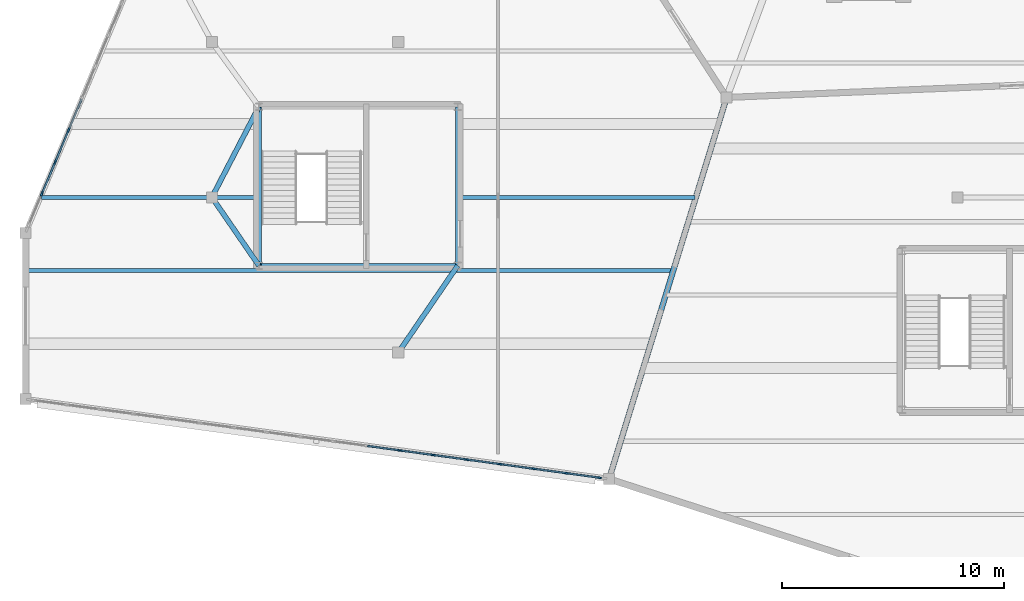
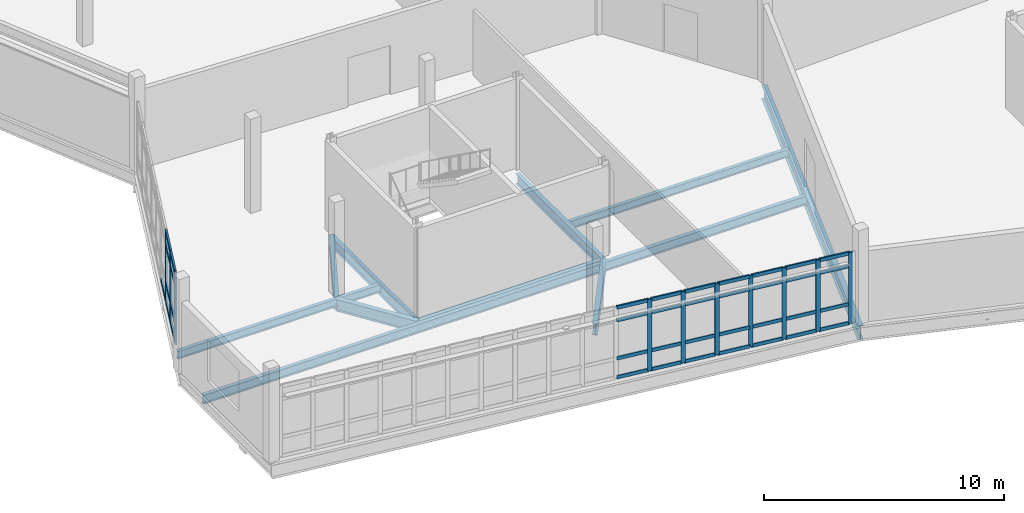
# One storey, part 52 of 134: 47 members, 10 beams, 2 elements without a shape of their own.
"""IFC4 building model written with IfcOpenShell, lengths in metres."""

from ifc_helpers import new_model, si_unit, direction, frame, origin, origin_2d, place, context, subcontext, project, spatial, rectangle, i_section, extrude, material, material_profile, profile_set, type_object, element, aggregate, save


model = new_model("IFC4")

# Units and contexts
model_context = context("Model", 3, precision=1e-05, world=origin(), true_north=direction((0.0, 1.0)))
body_context = subcontext(model_context, "Body", "Model", "MODEL_VIEW")
ifc_project = project(units=[si_unit("LENGTHUNIT", "METRE"), si_unit("AREAUNIT", "SQUARE_METRE"), si_unit("VOLUMEUNIT", "CUBIC_METRE"), si_unit("PLANEANGLEUNIT", "RADIAN"), si_unit("MASSUNIT", "GRAM", prefix="KILO")], contexts=[model_context])

# Site, building, storey
site_placement = place(None, origin())
site = spatial("IfcSite", under=ifc_project, at=site_placement, CompositionType="ELEMENT")
building_placement = place(site_placement, origin())
building = spatial("IfcBuilding", under=site, at=building_placement, Name="Tameran Prism Museum", CompositionType="ELEMENT")
storey_placement = place(building_placement, frame((0.0, 0.0, 5.39990234375)))
storey = spatial("IfcBuildingStorey", under=building, at=storey_placement, Name="L01", CompositionType="ELEMENT", Elevation=5.39990234375)

# Beams
ifc_material_1 = material(Name="Steel Grade 300PLUS (300 MPa)", Category="steel")
ifc_material_profile_1 = material_profile(ifc_material_1, i_section(OverallWidth=0.177978515625, OverallDepth=0.406005859375, WebThickness=0.0078125, FlangeThickness=0.0126953125, FilletRadius=0.011474609375, at=origin_2d()))
ifc_profile_set_1 = profile_set([ifc_material_profile_1])
beam_type_1 = type_object("IfcBeamType", Name="BM-J410A", PredefinedType="JOIST", material=ifc_profile_set_1)
beam_1_placement = place(storey_placement, frame((0.714111328125, 77.0, -0.462890625), z_axis=(1.0, 0.0, 0.0), x_axis=(0.0, 1.0, 0.0)))
element("IfcBeam", 1, at=beam_1_placement, inside=storey, type_object=beam_type_1, Name="Floor Beam BM-0635", PredefinedType="JOIST", context=body_context, shape_type="SweptSolid", body=[
    extrude(i_section(OverallWidth=0.177978515625, OverallDepth=0.406005859375, WebThickness=0.0078125, FlangeThickness=0.0126953125, FilletRadius=0.011474609375, at=origin_2d()), origin(), (0.0, 0.0, 1.0), 9.805908203125),
])
beam_2_placement = place(storey_placement, frame((19.47998046875, 77.0, -0.462890625), z_axis=(1.0, 0.0, 0.0), x_axis=(0.0, 1.0, 0.0)))
element("IfcBeam", 2, at=beam_2_placement, inside=storey, type_object=beam_type_1, Name="Floor Beam BM-0636", PredefinedType="JOIST", context=body_context, shape_type="SweptSolid", body=[
    extrude(i_section(OverallWidth=0.177978515625, OverallDepth=0.406005859375, WebThickness=0.0078125, FlangeThickness=0.0126953125, FilletRadius=0.011474609375, at=origin_2d()), origin(), (0.0, 0.0, 1.0), 10.692138671875),
])
ifc_material_2 = material(Name="Steel Grade 300PLUS (300 MPa)", Category="steel")
ifc_material_profile_2 = material_profile(ifc_material_2, i_section(OverallWidth=0.19091796875, OverallDepth=0.4599609375, WebThickness=0.010009765625, FlangeThickness=0.01611328125, FilletRadius=0.011474609375, at=origin_2d()))
ifc_profile_set_2 = profile_set([ifc_material_profile_2])
beam_type_2 = type_object("IfcBeamType", Name="BM-J460A", PredefinedType="JOIST", material=ifc_profile_set_2)
beam_3_placement = place(storey_placement, frame((0.0400390625, 73.699951171875, -0.489990234375), z_axis=(1.0, 0.0, 0.0), x_axis=(0.0, 1.0, 0.0)))
element("IfcBeam", 3, at=beam_3_placement, inside=storey, type_object=beam_type_2, Name="Floor Beam BM-0634", PredefinedType="JOIST", context=body_context, shape_type="SweptSolid", body=[
    extrude(i_section(OverallWidth=0.19091796875, OverallDepth=0.4599609375, WebThickness=0.010009765625, FlangeThickness=0.01611328125, FilletRadius=0.011474609375, at=origin_2d()), origin(), (0.0, 0.0, 1.0), 29.114990234375),
])
ifc_material_3 = material(Name="Steel Grade 300PLUS (300 MPa)", Category="steel")
ifc_material_profile_3 = material_profile(ifc_material_3, i_section(OverallWidth=0.208984375, OverallDepth=0.528076171875, WebThickness=0.009521484375, FlangeThickness=0.01318359375, FilletRadius=0.013916015625, at=origin_2d()))
ifc_profile_set_3 = profile_set([ifc_material_profile_3])
beam_type_3 = type_object("IfcBeamType", Name="BM-SP530B", PredefinedType="SPANDREL", material=ifc_profile_set_3)
beam_4_placement = place(storey_placement, frame((10.52001953125, 73.919921875, -0.52392578125), z_axis=(1.0, 0.0, 0.0), x_axis=(0.0, 1.0, 0.0)))
element("IfcBeam", 4, at=beam_4_placement, inside=storey, type_object=beam_type_3, Name="Core Ring Beam CTB-0470", PredefinedType="SPANDREL", context=body_context, shape_type="SweptSolid", body=[
    extrude(i_section(OverallWidth=0.208984375, OverallDepth=0.528076171875, WebThickness=0.009521484375, FlangeThickness=0.01318359375, FilletRadius=0.013916015625, at=origin_2d()), origin(), (0.0, 0.0, 1.0), 8.9599609375),
])
for number, where, z_axis, x_axis, name in (
    (5, (19.47998046875, 73.919921875, -0.52392578125), (0.0, 1.0, 0.0), (-1.0, 0.0, 0.0), "Core Ring Beam CTB-0471"),
    (6, (10.52001953125, 81.080078125, -0.52392578125), (0.0, -1.0, 0.0), (1.0, 0.0, 0.0), "Core Ring Beam CTB-0473"),
):
    element("IfcBeam", number, at=place(storey_placement, frame(where, z_axis=z_axis, x_axis=x_axis)), inside=storey, type_object=beam_type_3, Name=name, PredefinedType="SPANDREL", context=body_context, shape_type="SweptSolid", body=[
        extrude(i_section(OverallWidth=0.208984375, OverallDepth=0.528076171875, WebThickness=0.009521484375, FlangeThickness=0.01318359375, FilletRadius=0.013916015625, at=origin_2d()), origin(), (0.0, 0.0, 1.0), 7.16015625),
    ])
ifc_material_4 = material(Name="Steel Grade 350 (350 MPa)", Category="steel")
ifc_material_profile_4 = material_profile(ifc_material_4, i_section(OverallWidth=0.25, OverallDepth=0.699951171875, WebThickness=0.010009765625, FlangeThickness=0.02001953125, at=origin_2d()))
ifc_profile_set_4 = profile_set([ifc_material_profile_4])
beam_type_4 = type_object("IfcBeamType", Name="BM-SP700", PredefinedType="SPANDREL", material=ifc_profile_set_4)
beam_5_placement = place(storey_placement, frame((31.60009765625, 81.5, -0.60986328125), z_axis=(-0.294479498062, -0.955657797133, 0.0), x_axis=(0.955657797133, -0.294479498062, 0.0)))
element("IfcBeam", 7, at=beam_5_placement, inside=storey, type_object=beam_type_4, Name="Perimeter Spandrel SP-0412", PredefinedType="SPANDREL", context=body_context, shape_type="SweptSolid", body=[
    extrude(i_section(OverallWidth=0.25, OverallDepth=0.699951171875, WebThickness=0.010009765625, FlangeThickness=0.02001953125, at=origin_2d()), origin(), (0.0, 0.0, 1.0), 17.998046875),
])
ifc_material_5 = material(Name="Steel Grade 300PLUS (300 MPa)", Category="steel")
ifc_material_profile_5 = material_profile(ifc_material_5, i_section(OverallWidth=0.22900390625, OverallDepth=0.612060546875, WebThickness=0.011962890625, FlangeThickness=0.01953125, FilletRadius=0.013916015625, at=origin_2d()))
ifc_profile_set_5 = profile_set([ifc_material_profile_5])
beam_type_5 = type_object("IfcBeamType", Name="BM-UB610A", PredefinedType="BEAM", material=ifc_profile_set_5)
beam_6_placement = place(storey_placement, frame((8.39990234375, 77.0, -0.56591796875), z_axis=(0.566994261507, -0.823721741499, 0.0), x_axis=(0.823721741499, 0.566994261507, 0.0)))
element("IfcBeam", 8, at=beam_6_placement, inside=storey, type_object=beam_type_5, Name="Frame Tie Girder FG-1345", PredefinedType="BEAM", context=body_context, shape_type="SweptSolid", body=[
    extrude(i_section(OverallWidth=0.22900390625, OverallDepth=0.612060546875, WebThickness=0.011962890625, FlangeThickness=0.01953125, FilletRadius=0.013916015625, at=origin_2d()), origin(), (0.0, 0.0, 1.0), 3.7392578125),
])
beam_7_placement = place(storey_placement, frame((8.39990234375, 77.0, -0.56591796875), z_axis=(0.461091914182, 0.887352380217, 0.0), x_axis=(-0.887352380217, 0.461091914182, 0.0)))
element("IfcBeam", 9, at=beam_7_placement, inside=storey, type_object=beam_type_5, Name="Frame Tie Girder FG-1346", PredefinedType="BEAM", context=body_context, shape_type="SweptSolid", body=[
    extrude(i_section(OverallWidth=0.22900390625, OverallDepth=0.612060546875, WebThickness=0.011962890625, FlangeThickness=0.01953125, FilletRadius=0.013916015625, at=origin_2d()), origin(), (0.0, 0.0, 1.0), 4.59814453125),
])
beam_8_placement = place(storey_placement, frame((16.800048828125, 70.0, -0.56591796875), z_axis=(0.564379754133, 0.825515289456, 0.0), x_axis=(-0.825515289456, 0.564379754133, 0.0)))
element("IfcBeam", 10, at=beam_8_placement, inside=storey, type_object=beam_type_5, Name="Frame Tie Girder FG-1356", PredefinedType="BEAM", context=body_context, shape_type="SweptSolid", body=[
    extrude(i_section(OverallWidth=0.22900390625, OverallDepth=0.612060546875, WebThickness=0.011962890625, FlangeThickness=0.01953125, FilletRadius=0.013916015625, at=origin_2d()), origin(), (0.0, 0.0, 1.0), 4.74853515625),
])

# Curtain wall, members
ifc_material_6 = material(Name="Anodised Aluminium 6063-T6 and Cyclone Solar Glass", Category="aluminium")
curtain_wall_type_1 = type_object("IfcCurtainWallType", Name="CW-FAC-2579x362", PredefinedType="USERDEFINED", material=ifc_material_6)
curtain_wall_1_placement = place(storey_placement, origin())
curtain_wall_1 = element("IfcCurtainWall", 11, at=curtain_wall_1_placement, inside=storey, type_object=curtain_wall_type_1, Name="Unitised Curtain Wall CW-093", ObjectType="UNITISED CURTAIN WALL", PredefinedType="USERDEFINED")
ifc_material_7 = material(Name="Anodised Aluminium Alloy 6063-T6", Category="aluminium")
ifc_material_profile_6 = material_profile(ifc_material_7, rectangle(XDim=0.074951171875, YDim=0.199951171875, at=origin_2d()))
ifc_profile_set_6 = profile_set([ifc_material_profile_6])
member_type_1 = type_object("IfcMemberType", Name="CW-MUL-C", PredefinedType="MULLION", material=ifc_profile_set_6)
member_1_placement = place(storey_placement, frame((25.85693359375, 64.360107421875, 0.0), z_axis=(0.0, 0.0, 1.0), x_axis=(-0.135658330466, -0.990755679961, 0.0)))
member_1 = element("IfcMember", 12, at=member_1_placement, type_object=member_type_1, Name="CW-093 mullion 1", PredefinedType="MULLION", context=body_context, shape_type="SweptSolid", body=[
    extrude(rectangle(XDim=0.074951171875, YDim=0.199951171875, at=origin_2d()), origin(), (0.0, 0.0, 1.0), 3.6201171875),
])
member_2_placement = place(storey_placement, frame((24.39111328125, 64.560791015625, 0.0), z_axis=(0.0, 0.0, 1.0), x_axis=(-0.135658330466, -0.990755679961, 0.0)))
member_2 = element("IfcMember", 13, at=member_2_placement, type_object=member_type_1, Name="CW-093 mullion 2", PredefinedType="MULLION", context=body_context, shape_type="SweptSolid", body=[
    extrude(rectangle(XDim=0.074951171875, YDim=0.199951171875, at=origin_2d()), origin(), (0.0, 0.0, 1.0), 3.6201171875),
])
member_3_placement = place(storey_placement, frame((22.888427734375, 64.7666015625, 0.0), z_axis=(0.0, 0.0, 1.0), x_axis=(-0.135658330466, -0.990755679961, 0.0)))
member_3 = element("IfcMember", 14, at=member_3_placement, type_object=member_type_1, Name="CW-093 mullion 3", PredefinedType="MULLION", context=body_context, shape_type="SweptSolid", body=[
    extrude(rectangle(XDim=0.074951171875, YDim=0.199951171875, at=origin_2d()), origin(), (0.0, 0.0, 1.0), 3.6201171875),
])
member_4_placement = place(storey_placement, frame((21.3857421875, 64.972412109375, 0.0), z_axis=(0.0, 0.0, 1.0), x_axis=(-0.135658330466, -0.990755679961, 0.0)))
member_4 = element("IfcMember", 15, at=member_4_placement, type_object=member_type_1, Name="CW-093 mullion 4", PredefinedType="MULLION", context=body_context, shape_type="SweptSolid", body=[
    extrude(rectangle(XDim=0.074951171875, YDim=0.199951171875, at=origin_2d()), origin(), (0.0, 0.0, 1.0), 3.6201171875),
])
member_5_placement = place(storey_placement, frame((19.883056640625, 65.177978515625, 0.0), z_axis=(0.0, 0.0, 1.0), x_axis=(-0.135658330466, -0.990755679961, 0.0)))
member_5 = element("IfcMember", 16, at=member_5_placement, type_object=member_type_1, Name="CW-093 mullion 5", PredefinedType="MULLION", context=body_context, shape_type="SweptSolid", body=[
    extrude(rectangle(XDim=0.074951171875, YDim=0.199951171875, at=origin_2d()), origin(), (0.0, 0.0, 1.0), 3.6201171875),
])
member_6_placement = place(storey_placement, frame((18.380126953125, 65.3837890625, 0.0), z_axis=(0.0, 0.0, 1.0), x_axis=(-0.135658330466, -0.990755679961, 0.0)))
member_6 = element("IfcMember", 17, at=member_6_placement, type_object=member_type_1, Name="CW-093 mullion 6", PredefinedType="MULLION", context=body_context, shape_type="SweptSolid", body=[
    extrude(rectangle(XDim=0.074951171875, YDim=0.199951171875, at=origin_2d()), origin(), (0.0, 0.0, 1.0), 3.6201171875),
])
member_7_placement = place(storey_placement, frame((16.87744140625, 65.589599609375, 0.0), z_axis=(0.0, 0.0, 1.0), x_axis=(-0.135658330466, -0.990755679961, 0.0)))
member_7 = element("IfcMember", 18, at=member_7_placement, type_object=member_type_1, Name="CW-093 mullion 7", PredefinedType="MULLION", context=body_context, shape_type="SweptSolid", body=[
    extrude(rectangle(XDim=0.074951171875, YDim=0.199951171875, at=origin_2d()), origin(), (0.0, 0.0, 1.0), 3.6201171875),
])

ifc_material_8 = material(Name="Anodised Aluminium 6063-T6 and Cyclone Solar Glass", Category="aluminium")
curtain_wall_type_2 = type_object("IfcCurtainWallType", Name="CW-FAC-1399x362", PredefinedType="USERDEFINED", material=ifc_material_8)
curtain_wall_2_placement = place(storey_placement, origin())
curtain_wall_2 = element("IfcCurtainWall", 19, at=curtain_wall_2_placement, inside=storey, type_object=curtain_wall_type_2, Name="Unitised Curtain Wall CW-094", ObjectType="UNITISED CURTAIN WALL", PredefinedType="USERDEFINED")
ifc_material_9 = material(Name="Anodised Aluminium Alloy 6063-T6", Category="aluminium")
ifc_material_profile_7 = material_profile(ifc_material_9, rectangle(XDim=0.080078125, YDim=0.219970703125, at=origin_2d()))
ifc_profile_set_7 = profile_set([ifc_material_profile_7])
member_type_2 = type_object("IfcMemberType", Name="CW-MUL-D", PredefinedType="MULLION", material=ifc_profile_set_7)
member_8_placement = place(storey_placement, frame((0.73583984375, 77.15625, 0.0), z_axis=(0.0, 0.0, 1.0), x_axis=(-0.922251949595, 0.386589370609, 0.0)))
member_8 = element("IfcMember", 20, at=member_8_placement, type_object=member_type_2, Name="CW-094 mullion 2", PredefinedType="MULLION", context=body_context, shape_type="SweptSolid", body=[
    extrude(rectangle(XDim=0.080078125, YDim=0.219970703125, at=origin_2d()), origin(), (0.0, 0.0, 1.0), 3.6201171875),
])
member_9_placement = place(storey_placement, frame((1.336669921875, 78.58935546875, 0.0), z_axis=(0.0, 0.0, 1.0), x_axis=(-0.922251949595, 0.386589370609, 0.0)))
member_9 = element("IfcMember", 21, at=member_9_placement, type_object=member_type_2, Name="CW-094 mullion 3", PredefinedType="MULLION", context=body_context, shape_type="SweptSolid", body=[
    extrude(rectangle(XDim=0.080078125, YDim=0.219970703125, at=origin_2d()), origin(), (0.0, 0.0, 1.0), 3.6201171875),
])
member_10_placement = place(storey_placement, frame((1.937255859375, 80.022705078125, 0.0), z_axis=(0.0, 0.0, 1.0), x_axis=(-0.922251949595, 0.386589370609, 0.0)))
member_10 = element("IfcMember", 22, at=member_10_placement, type_object=member_type_2, Name="CW-094 mullion 4", PredefinedType="MULLION", context=body_context, shape_type="SweptSolid", body=[
    extrude(rectangle(XDim=0.080078125, YDim=0.219970703125, at=origin_2d()), origin(), (0.0, 0.0, 1.0), 3.6201171875),
])

# Member
ifc_material_10 = material(Name="Anodised Aluminium Alloy 6063-T6", Category="aluminium")
ifc_material_profile_8 = material_profile(ifc_material_10, rectangle(XDim=0.074951171875, YDim=0.175048828125, at=origin_2d()))
ifc_profile_set_8 = profile_set([ifc_material_profile_8])
member_type_3 = type_object("IfcMemberType", Name="CW-TRN-C", PredefinedType="USERDEFINED", material=ifc_profile_set_8)
member_11_placement = place(storey_placement, frame((25.819580078125, 64.365234375, 0.03759765625), z_axis=(-0.990760202109, 0.135625299692, 0.0), x_axis=(-0.135625299692, -0.990760202109, 0.0)))
member_11 = element("IfcMember", 23, at=member_11_placement, type_object=member_type_3, Name="CW-093 transom 1.1", ObjectType="TRANSOM", PredefinedType="USERDEFINED", context=body_context, shape_type="SweptSolid", body=[
    extrude(rectangle(XDim=0.074951171875, YDim=0.175048828125, at=origin_2d()), origin(), (0.0, 0.0, 1.0), 1.404052734375),
])

member_12_placement = place(storey_placement, frame((25.819580078125, 64.365234375, 1.0), z_axis=(-0.990760202109, 0.135625299692, 0.0), x_axis=(-0.135625299692, -0.990760202109, 0.0)))
member_12 = element("IfcMember", 24, at=member_12_placement, type_object=member_type_3, Name="CW-093 transom 1.2", ObjectType="TRANSOM", PredefinedType="USERDEFINED", context=body_context, shape_type="SweptSolid", body=[
    extrude(rectangle(XDim=0.074951171875, YDim=0.175048828125, at=origin_2d()), origin(), (0.0, 0.0, 1.0), 1.404052734375),
])

member_13_placement = place(storey_placement, frame((25.819580078125, 64.365234375, 2.940185546875), z_axis=(-0.990760202109, 0.135625299692, 0.0), x_axis=(-0.135625299692, -0.990760202109, 0.0)))
member_13 = element("IfcMember", 25, at=member_13_placement, type_object=member_type_3, Name="CW-093 transom 1.3", ObjectType="TRANSOM", PredefinedType="USERDEFINED", context=body_context, shape_type="SweptSolid", body=[
    extrude(rectangle(XDim=0.074951171875, YDim=0.175048828125, at=origin_2d()), origin(), (0.0, 0.0, 1.0), 1.404052734375),
])

member_14_placement = place(storey_placement, frame((25.819580078125, 64.365234375, 3.58251953125), z_axis=(-0.990760202109, 0.135625299692, 0.0), x_axis=(-0.135625299692, -0.990760202109, 0.0)))
member_14 = element("IfcMember", 26, at=member_14_placement, type_object=member_type_3, Name="CW-093 transom 1.4", ObjectType="TRANSOM", PredefinedType="USERDEFINED", context=body_context, shape_type="SweptSolid", body=[
    extrude(rectangle(XDim=0.074951171875, YDim=0.175048828125, at=origin_2d()), origin(), (0.0, 0.0, 1.0), 1.404052734375),
])

member_15_placement = place(storey_placement, frame((24.35400390625, 64.56591796875, 0.03759765625), z_axis=(-0.990758932217, 0.135634576091, 0.0), x_axis=(-0.135634576091, -0.990758932217, 0.0)))
member_15 = element("IfcMember", 27, at=member_15_placement, type_object=member_type_3, Name="CW-093 transom 2.1", ObjectType="TRANSOM", PredefinedType="USERDEFINED", context=body_context, shape_type="SweptSolid", body=[
    extrude(rectangle(XDim=0.074951171875, YDim=0.175048828125, at=origin_2d()), origin(), (0.0, 0.0, 1.0), 1.44189453125),
])

member_16_placement = place(storey_placement, frame((24.35400390625, 64.56591796875, 1.0), z_axis=(-0.990758932217, 0.135634576091, 0.0), x_axis=(-0.135634576091, -0.990758932217, 0.0)))
member_16 = element("IfcMember", 28, at=member_16_placement, type_object=member_type_3, Name="CW-093 transom 2.2", ObjectType="TRANSOM", PredefinedType="USERDEFINED", context=body_context, shape_type="SweptSolid", body=[
    extrude(rectangle(XDim=0.074951171875, YDim=0.175048828125, at=origin_2d()), origin(), (0.0, 0.0, 1.0), 1.44189453125),
])

member_17_placement = place(storey_placement, frame((24.35400390625, 64.56591796875, 2.940185546875), z_axis=(-0.990758932217, 0.135634576091, 0.0), x_axis=(-0.135634576091, -0.990758932217, 0.0)))
member_17 = element("IfcMember", 29, at=member_17_placement, type_object=member_type_3, Name="CW-093 transom 2.3", ObjectType="TRANSOM", PredefinedType="USERDEFINED", context=body_context, shape_type="SweptSolid", body=[
    extrude(rectangle(XDim=0.074951171875, YDim=0.175048828125, at=origin_2d()), origin(), (0.0, 0.0, 1.0), 1.44189453125),
])

member_18_placement = place(storey_placement, frame((24.35400390625, 64.56591796875, 3.58251953125), z_axis=(-0.990758932217, 0.135634576091, 0.0), x_axis=(-0.135634576091, -0.990758932217, 0.0)))
member_18 = element("IfcMember", 30, at=member_18_placement, type_object=member_type_3, Name="CW-093 transom 2.4", ObjectType="TRANSOM", PredefinedType="USERDEFINED", context=body_context, shape_type="SweptSolid", body=[
    extrude(rectangle(XDim=0.074951171875, YDim=0.175048828125, at=origin_2d()), origin(), (0.0, 0.0, 1.0), 1.44189453125),
])

member_19_placement = place(storey_placement, frame((22.851318359375, 64.771728515625, 0.03759765625), z_axis=(-0.990758932217, 0.135634576091, 0.0), x_axis=(-0.135634576091, -0.990758932217, 0.0)))
member_19 = element("IfcMember", 31, at=member_19_placement, type_object=member_type_3, Name="CW-093 transom 3.1", ObjectType="TRANSOM", PredefinedType="USERDEFINED", context=body_context, shape_type="SweptSolid", body=[
    extrude(rectangle(XDim=0.074951171875, YDim=0.175048828125, at=origin_2d()), origin(), (0.0, 0.0, 1.0), 1.44189453125),
])

member_20_placement = place(storey_placement, frame((22.851318359375, 64.771728515625, 1.0), z_axis=(-0.990758932217, 0.135634576091, 0.0), x_axis=(-0.135634576091, -0.990758932217, 0.0)))
member_20 = element("IfcMember", 32, at=member_20_placement, type_object=member_type_3, Name="CW-093 transom 3.2", ObjectType="TRANSOM", PredefinedType="USERDEFINED", context=body_context, shape_type="SweptSolid", body=[
    extrude(rectangle(XDim=0.074951171875, YDim=0.175048828125, at=origin_2d()), origin(), (0.0, 0.0, 1.0), 1.44189453125),
])

member_21_placement = place(storey_placement, frame((22.851318359375, 64.771728515625, 2.940185546875), z_axis=(-0.990758932217, 0.135634576091, 0.0), x_axis=(-0.135634576091, -0.990758932217, 0.0)))
member_21 = element("IfcMember", 33, at=member_21_placement, type_object=member_type_3, Name="CW-093 transom 3.3", ObjectType="TRANSOM", PredefinedType="USERDEFINED", context=body_context, shape_type="SweptSolid", body=[
    extrude(rectangle(XDim=0.074951171875, YDim=0.175048828125, at=origin_2d()), origin(), (0.0, 0.0, 1.0), 1.44189453125),
])

member_22_placement = place(storey_placement, frame((22.851318359375, 64.771728515625, 3.58251953125), z_axis=(-0.990758932217, 0.135634576091, 0.0), x_axis=(-0.135634576091, -0.990758932217, 0.0)))
member_22 = element("IfcMember", 34, at=member_22_placement, type_object=member_type_3, Name="CW-093 transom 3.4", ObjectType="TRANSOM", PredefinedType="USERDEFINED", context=body_context, shape_type="SweptSolid", body=[
    extrude(rectangle(XDim=0.074951171875, YDim=0.175048828125, at=origin_2d()), origin(), (0.0, 0.0, 1.0), 1.44189453125),
])

member_23_placement = place(storey_placement, frame((21.3486328125, 64.977294921875, 0.03759765625), z_axis=(-0.990758932217, 0.135634576091, 0.0), x_axis=(-0.135634576091, -0.990758932217, 0.0)))
member_23 = element("IfcMember", 35, at=member_23_placement, type_object=member_type_3, Name="CW-093 transom 4.1", ObjectType="TRANSOM", PredefinedType="USERDEFINED", context=body_context, shape_type="SweptSolid", body=[
    extrude(rectangle(XDim=0.074951171875, YDim=0.175048828125, at=origin_2d()), origin(), (0.0, 0.0, 1.0), 1.44189453125),
])

member_24_placement = place(storey_placement, frame((21.3486328125, 64.977294921875, 1.0), z_axis=(-0.990758932217, 0.135634576091, 0.0), x_axis=(-0.135634576091, -0.990758932217, 0.0)))
member_24 = element("IfcMember", 36, at=member_24_placement, type_object=member_type_3, Name="CW-093 transom 4.2", ObjectType="TRANSOM", PredefinedType="USERDEFINED", context=body_context, shape_type="SweptSolid", body=[
    extrude(rectangle(XDim=0.074951171875, YDim=0.175048828125, at=origin_2d()), origin(), (0.0, 0.0, 1.0), 1.44189453125),
])

member_25_placement = place(storey_placement, frame((21.3486328125, 64.977294921875, 2.940185546875), z_axis=(-0.990758932217, 0.135634576091, 0.0), x_axis=(-0.135634576091, -0.990758932217, 0.0)))
member_25 = element("IfcMember", 37, at=member_25_placement, type_object=member_type_3, Name="CW-093 transom 4.3", ObjectType="TRANSOM", PredefinedType="USERDEFINED", context=body_context, shape_type="SweptSolid", body=[
    extrude(rectangle(XDim=0.074951171875, YDim=0.175048828125, at=origin_2d()), origin(), (0.0, 0.0, 1.0), 1.44189453125),
])

member_26_placement = place(storey_placement, frame((21.3486328125, 64.977294921875, 3.58251953125), z_axis=(-0.990758932217, 0.135634576091, 0.0), x_axis=(-0.135634576091, -0.990758932217, 0.0)))
member_26 = element("IfcMember", 38, at=member_26_placement, type_object=member_type_3, Name="CW-093 transom 4.4", ObjectType="TRANSOM", PredefinedType="USERDEFINED", context=body_context, shape_type="SweptSolid", body=[
    extrude(rectangle(XDim=0.074951171875, YDim=0.175048828125, at=origin_2d()), origin(), (0.0, 0.0, 1.0), 1.44189453125),
])

member_27_placement = place(storey_placement, frame((19.845703125, 65.18310546875, 0.03759765625), z_axis=(-0.990758932217, 0.135634576091, 0.0), x_axis=(-0.135634576091, -0.990758932217, 0.0)))
member_27 = element("IfcMember", 39, at=member_27_placement, type_object=member_type_3, Name="CW-093 transom 5.1", ObjectType="TRANSOM", PredefinedType="USERDEFINED", context=body_context, shape_type="SweptSolid", body=[
    extrude(rectangle(XDim=0.074951171875, YDim=0.175048828125, at=origin_2d()), origin(), (0.0, 0.0, 1.0), 1.44189453125),
])

member_28_placement = place(storey_placement, frame((19.845703125, 65.18310546875, 1.0), z_axis=(-0.990758932217, 0.135634576091, 0.0), x_axis=(-0.135634576091, -0.990758932217, 0.0)))
member_28 = element("IfcMember", 40, at=member_28_placement, type_object=member_type_3, Name="CW-093 transom 5.2", ObjectType="TRANSOM", PredefinedType="USERDEFINED", context=body_context, shape_type="SweptSolid", body=[
    extrude(rectangle(XDim=0.074951171875, YDim=0.175048828125, at=origin_2d()), origin(), (0.0, 0.0, 1.0), 1.44189453125),
])

member_29_placement = place(storey_placement, frame((19.845703125, 65.18310546875, 2.940185546875), z_axis=(-0.990758932217, 0.135634576091, 0.0), x_axis=(-0.135634576091, -0.990758932217, 0.0)))
member_29 = element("IfcMember", 41, at=member_29_placement, type_object=member_type_3, Name="CW-093 transom 5.3", ObjectType="TRANSOM", PredefinedType="USERDEFINED", context=body_context, shape_type="SweptSolid", body=[
    extrude(rectangle(XDim=0.074951171875, YDim=0.175048828125, at=origin_2d()), origin(), (0.0, 0.0, 1.0), 1.44189453125),
])

member_30_placement = place(storey_placement, frame((19.845703125, 65.18310546875, 3.58251953125), z_axis=(-0.990758932217, 0.135634576091, 0.0), x_axis=(-0.135634576091, -0.990758932217, 0.0)))
member_30 = element("IfcMember", 42, at=member_30_placement, type_object=member_type_3, Name="CW-093 transom 5.4", ObjectType="TRANSOM", PredefinedType="USERDEFINED", context=body_context, shape_type="SweptSolid", body=[
    extrude(rectangle(XDim=0.074951171875, YDim=0.175048828125, at=origin_2d()), origin(), (0.0, 0.0, 1.0), 1.44189453125),
])

member_31_placement = place(storey_placement, frame((18.343017578125, 65.388916015625, 0.03759765625), z_axis=(-0.990758932217, 0.135634576091, 0.0), x_axis=(-0.135634576091, -0.990758932217, 0.0)))
member_31 = element("IfcMember", 43, at=member_31_placement, type_object=member_type_3, Name="CW-093 transom 6.1", ObjectType="TRANSOM", PredefinedType="USERDEFINED", context=body_context, shape_type="SweptSolid", body=[
    extrude(rectangle(XDim=0.074951171875, YDim=0.175048828125, at=origin_2d()), origin(), (0.0, 0.0, 1.0), 1.44189453125),
])

member_32_placement = place(storey_placement, frame((18.343017578125, 65.388916015625, 1.0), z_axis=(-0.990758932217, 0.135634576091, 0.0), x_axis=(-0.135634576091, -0.990758932217, 0.0)))
member_32 = element("IfcMember", 44, at=member_32_placement, type_object=member_type_3, Name="CW-093 transom 6.2", ObjectType="TRANSOM", PredefinedType="USERDEFINED", context=body_context, shape_type="SweptSolid", body=[
    extrude(rectangle(XDim=0.074951171875, YDim=0.175048828125, at=origin_2d()), origin(), (0.0, 0.0, 1.0), 1.44189453125),
])

member_33_placement = place(storey_placement, frame((18.343017578125, 65.388916015625, 2.940185546875), z_axis=(-0.990758932217, 0.135634576091, 0.0), x_axis=(-0.135634576091, -0.990758932217, 0.0)))
member_33 = element("IfcMember", 45, at=member_33_placement, type_object=member_type_3, Name="CW-093 transom 6.3", ObjectType="TRANSOM", PredefinedType="USERDEFINED", context=body_context, shape_type="SweptSolid", body=[
    extrude(rectangle(XDim=0.074951171875, YDim=0.175048828125, at=origin_2d()), origin(), (0.0, 0.0, 1.0), 1.44189453125),
])

member_34_placement = place(storey_placement, frame((18.343017578125, 65.388916015625, 3.58251953125), z_axis=(-0.990758932217, 0.135634576091, 0.0), x_axis=(-0.135634576091, -0.990758932217, 0.0)))
member_34 = element("IfcMember", 46, at=member_34_placement, type_object=member_type_3, Name="CW-093 transom 6.4", ObjectType="TRANSOM", PredefinedType="USERDEFINED", context=body_context, shape_type="SweptSolid", body=[
    extrude(rectangle(XDim=0.074951171875, YDim=0.175048828125, at=origin_2d()), origin(), (0.0, 0.0, 1.0), 1.44189453125),
])

member_35_placement = place(storey_placement, frame((16.84033203125, 65.5947265625, 0.03759765625), z_axis=(-0.990758932217, 0.135634576091, 0.0), x_axis=(-0.135634576091, -0.990758932217, 0.0)))
member_35 = element("IfcMember", 47, at=member_35_placement, type_object=member_type_3, Name="CW-093 transom 7.1", ObjectType="TRANSOM", PredefinedType="USERDEFINED", context=body_context, shape_type="SweptSolid", body=[
    extrude(rectangle(XDim=0.074951171875, YDim=0.175048828125, at=origin_2d()), origin(), (0.0, 0.0, 1.0), 1.44189453125),
])

member_36_placement = place(storey_placement, frame((16.84033203125, 65.5947265625, 1.0), z_axis=(-0.990758932217, 0.135634576091, 0.0), x_axis=(-0.135634576091, -0.990758932217, 0.0)))
member_36 = element("IfcMember", 48, at=member_36_placement, type_object=member_type_3, Name="CW-093 transom 7.2", ObjectType="TRANSOM", PredefinedType="USERDEFINED", context=body_context, shape_type="SweptSolid", body=[
    extrude(rectangle(XDim=0.074951171875, YDim=0.175048828125, at=origin_2d()), origin(), (0.0, 0.0, 1.0), 1.44189453125),
])

member_37_placement = place(storey_placement, frame((16.84033203125, 65.5947265625, 2.940185546875), z_axis=(-0.990758932217, 0.135634576091, 0.0), x_axis=(-0.135634576091, -0.990758932217, 0.0)))
member_37 = element("IfcMember", 49, at=member_37_placement, type_object=member_type_3, Name="CW-093 transom 7.3", ObjectType="TRANSOM", PredefinedType="USERDEFINED", context=body_context, shape_type="SweptSolid", body=[
    extrude(rectangle(XDim=0.074951171875, YDim=0.175048828125, at=origin_2d()), origin(), (0.0, 0.0, 1.0), 1.44189453125),
])

member_38_placement = place(storey_placement, frame((16.84033203125, 65.5947265625, 3.58251953125), z_axis=(-0.990758932217, 0.135634576091, 0.0), x_axis=(-0.135634576091, -0.990758932217, 0.0)))
member_38 = element("IfcMember", 50, at=member_38_placement, type_object=member_type_3, Name="CW-093 transom 7.4", ObjectType="TRANSOM", PredefinedType="USERDEFINED", context=body_context, shape_type="SweptSolid", body=[
    extrude(rectangle(XDim=0.074951171875, YDim=0.175048828125, at=origin_2d()), origin(), (0.0, 0.0, 1.0), 1.44189453125),
])

aggregate(curtain_wall_1, [member_1, member_2, member_3, member_4, member_5, member_6, member_7, member_11, member_12, member_13, member_14, member_15, member_16, member_17, member_18, member_19, member_20, member_21, member_22, member_23, member_24, member_25, member_26, member_27, member_28, member_29, member_30, member_31, member_32, member_33, member_34, member_35, member_36, member_37, member_38])

ifc_material_11 = material(Name="Anodised Aluminium Alloy 6063-T6", Category="aluminium")
ifc_material_profile_9 = material_profile(ifc_material_11, rectangle(XDim=0.080078125, YDim=0.195068359375, at=origin_2d()))
ifc_profile_set_9 = profile_set([ifc_material_profile_9])
member_type_4 = type_object("IfcMemberType", Name="CW-TRN-D", PredefinedType="USERDEFINED", material=ifc_profile_set_9)
member_39_placement = place(storey_placement, frame((0.751220703125, 77.193115234375, 0.0400390625), z_axis=(0.386590353567, 0.922251537558, 0.0), x_axis=(-0.922251537558, 0.386590353567, 0.0)))
member_39 = element("IfcMember", 51, at=member_39_placement, type_object=member_type_4, Name="CW-094 transom 2.1", ObjectType="TRANSOM", PredefinedType="USERDEFINED", context=body_context, shape_type="SweptSolid", body=[
    extrude(rectangle(XDim=0.080078125, YDim=0.195068359375, at=origin_2d()), origin(), (0.0, 0.0, 1.0), 1.473876953125),
])

member_40_placement = place(storey_placement, frame((0.751220703125, 77.193115234375, 1.0), z_axis=(0.386590353567, 0.922251537558, 0.0), x_axis=(-0.922251537558, 0.386590353567, 0.0)))
member_40 = element("IfcMember", 52, at=member_40_placement, type_object=member_type_4, Name="CW-094 transom 2.2", ObjectType="TRANSOM", PredefinedType="USERDEFINED", context=body_context, shape_type="SweptSolid", body=[
    extrude(rectangle(XDim=0.080078125, YDim=0.195068359375, at=origin_2d()), origin(), (0.0, 0.0, 1.0), 1.473876953125),
])

member_41_placement = place(storey_placement, frame((0.751220703125, 77.193115234375, 2.940185546875), z_axis=(0.386590353567, 0.922251537558, 0.0), x_axis=(-0.922251537558, 0.386590353567, 0.0)))
member_41 = element("IfcMember", 53, at=member_41_placement, type_object=member_type_4, Name="CW-094 transom 2.3", ObjectType="TRANSOM", PredefinedType="USERDEFINED", context=body_context, shape_type="SweptSolid", body=[
    extrude(rectangle(XDim=0.080078125, YDim=0.195068359375, at=origin_2d()), origin(), (0.0, 0.0, 1.0), 1.473876953125),
])

member_42_placement = place(storey_placement, frame((0.751220703125, 77.193115234375, 3.580078125), z_axis=(0.386590353567, 0.922251537558, 0.0), x_axis=(-0.922251537558, 0.386590353567, 0.0)))
member_42 = element("IfcMember", 54, at=member_42_placement, type_object=member_type_4, Name="CW-094 transom 2.4", ObjectType="TRANSOM", PredefinedType="USERDEFINED", context=body_context, shape_type="SweptSolid", body=[
    extrude(rectangle(XDim=0.080078125, YDim=0.195068359375, at=origin_2d()), origin(), (0.0, 0.0, 1.0), 1.473876953125),
])

member_43_placement = place(storey_placement, frame((1.35205078125, 78.626220703125, 0.0400390625), z_axis=(0.386531307625, 0.922276286275, 0.0), x_axis=(-0.922276286275, 0.386531307625, 0.0)))
member_43 = element("IfcMember", 55, at=member_43_placement, type_object=member_type_4, Name="CW-094 transom 3.1", ObjectType="TRANSOM", PredefinedType="USERDEFINED", context=body_context, shape_type="SweptSolid", body=[
    extrude(rectangle(XDim=0.080078125, YDim=0.195068359375, at=origin_2d()), origin(), (0.0, 0.0, 1.0), 1.47412109375),
])

member_44_placement = place(storey_placement, frame((1.35205078125, 78.626220703125, 1.0), z_axis=(0.386531307625, 0.922276286275, 0.0), x_axis=(-0.922276286275, 0.386531307625, 0.0)))
member_44 = element("IfcMember", 56, at=member_44_placement, type_object=member_type_4, Name="CW-094 transom 3.2", ObjectType="TRANSOM", PredefinedType="USERDEFINED", context=body_context, shape_type="SweptSolid", body=[
    extrude(rectangle(XDim=0.080078125, YDim=0.195068359375, at=origin_2d()), origin(), (0.0, 0.0, 1.0), 1.47412109375),
])

member_45_placement = place(storey_placement, frame((1.35205078125, 78.626220703125, 2.940185546875), z_axis=(0.386531307625, 0.922276286275, 0.0), x_axis=(-0.922276286275, 0.386531307625, 0.0)))
member_45 = element("IfcMember", 57, at=member_45_placement, type_object=member_type_4, Name="CW-094 transom 3.3", ObjectType="TRANSOM", PredefinedType="USERDEFINED", context=body_context, shape_type="SweptSolid", body=[
    extrude(rectangle(XDim=0.080078125, YDim=0.195068359375, at=origin_2d()), origin(), (0.0, 0.0, 1.0), 1.47412109375),
])

member_46_placement = place(storey_placement, frame((1.35205078125, 78.626220703125, 3.580078125), z_axis=(0.386531307625, 0.922276286275, 0.0), x_axis=(-0.922276286275, 0.386531307625, 0.0)))
member_46 = element("IfcMember", 58, at=member_46_placement, type_object=member_type_4, Name="CW-094 transom 3.4", ObjectType="TRANSOM", PredefinedType="USERDEFINED", context=body_context, shape_type="SweptSolid", body=[
    extrude(rectangle(XDim=0.080078125, YDim=0.195068359375, at=origin_2d()), origin(), (0.0, 0.0, 1.0), 1.47412109375),
])

member_47_placement = place(storey_placement, frame((1.952880859375, 80.0595703125, 0.0400390625), z_axis=(0.386590353567, 0.922251537558, 0.0), x_axis=(-0.922251537558, 0.386590353567, 0.0)))
member_47 = element("IfcMember", 59, at=member_47_placement, type_object=member_type_4, Name="CW-094 transom 4.1", ObjectType="TRANSOM", PredefinedType="USERDEFINED", context=body_context, shape_type="SweptSolid", body=[
    extrude(rectangle(XDim=0.080078125, YDim=0.195068359375, at=origin_2d()), origin(), (0.0, 0.0, 1.0), 1.473876953125),
])

aggregate(curtain_wall_2, [member_8, member_9, member_10, member_39, member_40, member_41, member_42, member_43, member_44, member_45, member_46, member_47])

save(model, "model.ifc")
